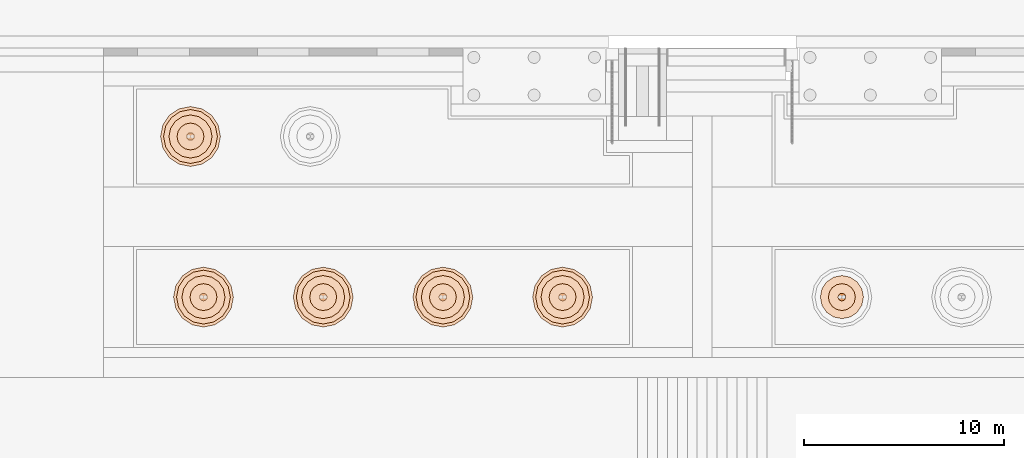
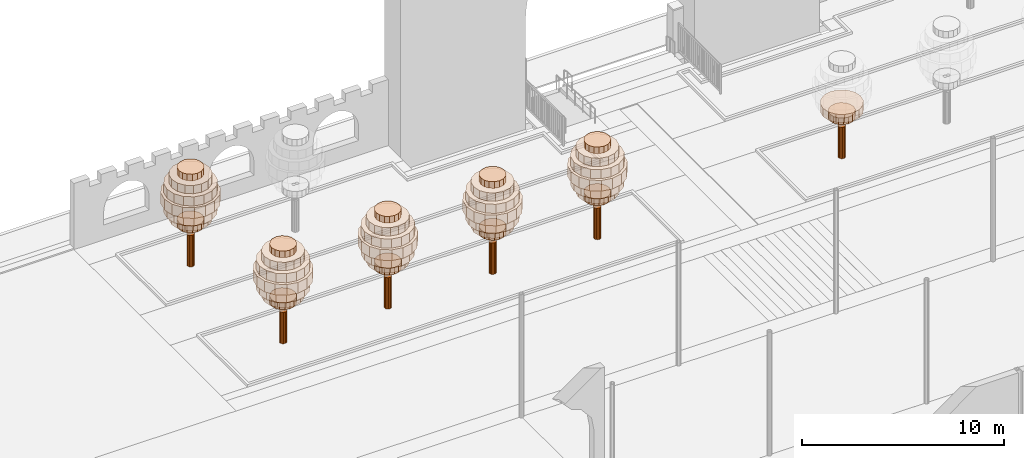
# One storey, part 246 of 250: 43 geographic elements.
"""IFC4 building model written with IfcOpenShell, lengths in metres."""

from ifc_helpers import new_model, si_unit, direction, frame, origin, place, context, subcontext, project, spatial, polyline, outline, extrude, material, type_object, element, save


model = new_model("IFC4")

# Units and contexts
model_context = context("Model", 3, precision=1e-05, world=origin(), true_north=direction((0.0, 1.0)))
body_context = subcontext(model_context, "Body", "Model", "MODEL_VIEW")
ifc_project = project(units=[si_unit("LENGTHUNIT", "METRE"), si_unit("AREAUNIT", "SQUARE_METRE"), si_unit("VOLUMEUNIT", "CUBIC_METRE"), si_unit("PLANEANGLEUNIT", "RADIAN"), si_unit("MASSUNIT", "GRAM", prefix="KILO")], contexts=[model_context])

# Site, building, storey
site_placement = place(None, origin())
site = spatial("IfcSite", under=ifc_project, at=site_placement, CompositionType="ELEMENT")
building_placement = place(site_placement, origin())
building = spatial("IfcBuilding", under=site, at=building_placement, Name="Baradari Gate Terminus", CompositionType="ELEMENT")
storey_placement = place(building_placement, origin())
storey = spatial("IfcBuildingStorey", under=building, at=storey_placement, Name="L00", CompositionType="ELEMENT", Elevation=0.0)

# Geographic elements
ifc_material_1 = material(Name="Planted foliage, green")
geographic_element_type_1 = type_object("IfcGeographicElementType", Name="Garden tree crown, belly layer TR-9 2700x550", PredefinedType="USERDEFINED", material=ifc_material_1)
for number, where, name in (
    (1, (0.0, 0.0, 3.300048828125), "Garden tree 1 crown 3"),
    (2, (0.0, 0.0, 4.5), "Garden tree 1 crown 5"),
):
    element("IfcGeographicElement", number, at=place(storey_placement, frame(where)), inside=storey, type_object=geographic_element_type_1, Name=name, ObjectType="TREE", PredefinedType="USERDEFINED", context=body_context, shape_type="SweptSolid", body=[
        extrude(outline(polyline([(129.35009765625, 137.52490234375), (129.247314453125, 138.04150390625), (128.95458984375, 138.4794921875), (128.5166015625, 138.772216796875), (128.0, 138.875), (127.4833984375, 138.772216796875), (127.04541015625, 138.4794921875), (126.752685546875, 138.04150390625), (126.64990234375, 137.52490234375), (126.752685546875, 137.00830078125), (127.04541015625, 136.5703125), (127.4833984375, 136.27783203125), (128.0, 136.175048828125), (128.5166015625, 136.27783203125), (128.95458984375, 136.5703125), (129.247314453125, 137.00830078125), (129.35009765625, 137.52490234375)])), origin(), (0.0, 0.0, 1.0), 0.550048828125),
    ])
for number, where, name in (
    (3, (0.0, 0.0, 3.300048828125), "Garden tree 2 crown 3"),
    (4, (0.0, 0.0, 4.5), "Garden tree 2 crown 5"),
):
    element("IfcGeographicElement", number, at=place(storey_placement, frame(where)), inside=storey, type_object=geographic_element_type_1, Name=name, ObjectType="TREE", PredefinedType="USERDEFINED", context=body_context, shape_type="SweptSolid", body=[
        extrude(outline(polyline([(135.35009765625, 137.52490234375), (135.247314453125, 138.04150390625), (134.95458984375, 138.4794921875), (134.5166015625, 138.772216796875), (134.0, 138.875), (133.4833984375, 138.772216796875), (133.04541015625, 138.4794921875), (132.752685546875, 138.04150390625), (132.64990234375, 137.52490234375), (132.752685546875, 137.00830078125), (133.04541015625, 136.5703125), (133.4833984375, 136.27783203125), (134.0, 136.175048828125), (134.5166015625, 136.27783203125), (134.95458984375, 136.5703125), (135.247314453125, 137.00830078125), (135.35009765625, 137.52490234375)])), origin(), (0.0, 0.0, 1.0), 0.550048828125),
    ])
for number, where, name in (
    (5, (0.0, 0.0, 3.300048828125), "Garden tree 3 crown 3"),
    (6, (0.0, 0.0, 4.5), "Garden tree 3 crown 5"),
):
    element("IfcGeographicElement", number, at=place(storey_placement, frame(where)), inside=storey, type_object=geographic_element_type_1, Name=name, ObjectType="TREE", PredefinedType="USERDEFINED", context=body_context, shape_type="SweptSolid", body=[
        extrude(outline(polyline([(141.35009765625, 137.52490234375), (141.247314453125, 138.04150390625), (140.95458984375, 138.4794921875), (140.5166015625, 138.772216796875), (140.0, 138.875), (139.4833984375, 138.772216796875), (139.04541015625, 138.4794921875), (138.752685546875, 138.04150390625), (138.64990234375, 137.52490234375), (138.752685546875, 137.00830078125), (139.04541015625, 136.5703125), (139.4833984375, 136.27783203125), (140.0, 136.175048828125), (140.5166015625, 136.27783203125), (140.95458984375, 136.5703125), (141.247314453125, 137.00830078125), (141.35009765625, 137.52490234375)])), origin(), (0.0, 0.0, 1.0), 0.550048828125),
    ])
for number, where, name in (
    (7, (0.0, 0.0, 3.300048828125), "Garden tree 4 crown 3"),
    (8, (0.0, 0.0, 4.5), "Garden tree 4 crown 5"),
):
    element("IfcGeographicElement", number, at=place(storey_placement, frame(where)), inside=storey, type_object=geographic_element_type_1, Name=name, ObjectType="TREE", PredefinedType="USERDEFINED", context=body_context, shape_type="SweptSolid", body=[
        extrude(outline(polyline([(147.35009765625, 137.52490234375), (147.247314453125, 138.04150390625), (146.95458984375, 138.4794921875), (146.5166015625, 138.772216796875), (146.0, 138.875), (145.4833984375, 138.772216796875), (145.04541015625, 138.4794921875), (144.752685546875, 138.04150390625), (144.64990234375, 137.52490234375), (144.752685546875, 137.00830078125), (145.04541015625, 136.5703125), (145.4833984375, 136.27783203125), (146.0, 136.175048828125), (146.5166015625, 136.27783203125), (146.95458984375, 136.5703125), (147.247314453125, 137.00830078125), (147.35009765625, 137.52490234375)])), origin(), (0.0, 0.0, 1.0), 0.550048828125),
    ])
for number, where, name in (
    (9, (0.0, 0.0, 3.300048828125), "Garden tree 5 crown 3"),
    (10, (0.0, 0.0, 4.5), "Garden tree 5 crown 5"),
):
    element("IfcGeographicElement", number, at=place(storey_placement, frame(where)), inside=storey, type_object=geographic_element_type_1, Name=name, ObjectType="TREE", PredefinedType="USERDEFINED", context=body_context, shape_type="SweptSolid", body=[
        extrude(outline(polyline([(128.699951171875, 145.574951171875), (128.59716796875, 146.091552734375), (128.3046875, 146.529541015625), (127.86669921875, 146.822265625), (127.35009765625, 146.925048828125), (126.83349609375, 146.822265625), (126.3955078125, 146.529541015625), (126.102783203125, 146.091552734375), (126.0, 145.574951171875), (126.102783203125, 145.058349609375), (126.3955078125, 144.620361328125), (126.83349609375, 144.327880859375), (127.35009765625, 144.22509765625), (127.86669921875, 144.327880859375), (128.3046875, 144.620361328125), (128.59716796875, 145.058349609375), (128.699951171875, 145.574951171875)])), origin(), (0.0, 0.0, 1.0), 0.550048828125),
    ])
ifc_material_2 = material(Name="Planted foliage, green")
geographic_element_type_2 = type_object("IfcGeographicElementType", Name="Garden tree crown, core layer TR-10 3000x650", PredefinedType="USERDEFINED", material=ifc_material_2)
geographic_element_1_placement = place(storey_placement, frame((0.0, 0.0, 3.85009765625)))
element("IfcGeographicElement", 11, at=geographic_element_1_placement, inside=storey, type_object=geographic_element_type_2, Name="Garden tree 1 crown 4", ObjectType="TREE", PredefinedType="USERDEFINED", context=body_context, shape_type="SweptSolid", body=[
    extrude(outline(polyline([(129.5, 137.52490234375), (129.3857421875, 138.09912109375), (129.060546875, 138.585693359375), (128.573974609375, 138.910888671875), (128.0, 139.02490234375), (127.426025390625, 138.910888671875), (126.939453125, 138.585693359375), (126.6142578125, 138.09912109375), (126.5, 137.52490234375), (126.6142578125, 136.950927734375), (126.939453125, 136.46435546875), (127.426025390625, 136.13916015625), (128.0, 136.02490234375), (128.573974609375, 136.13916015625), (129.060546875, 136.46435546875), (129.3857421875, 136.950927734375), (129.5, 137.52490234375)])), origin(), (0.0, 0.0, 1.0), 0.64990234375),
])
geographic_element_2_placement = place(storey_placement, frame((0.0, 0.0, 3.85009765625)))
element("IfcGeographicElement", 12, at=geographic_element_2_placement, inside=storey, type_object=geographic_element_type_2, Name="Garden tree 2 crown 4", ObjectType="TREE", PredefinedType="USERDEFINED", context=body_context, shape_type="SweptSolid", body=[
    extrude(outline(polyline([(135.5, 137.52490234375), (135.3857421875, 138.09912109375), (135.060546875, 138.585693359375), (134.573974609375, 138.910888671875), (134.0, 139.02490234375), (133.426025390625, 138.910888671875), (132.939453125, 138.585693359375), (132.6142578125, 138.09912109375), (132.5, 137.52490234375), (132.6142578125, 136.950927734375), (132.939453125, 136.46435546875), (133.426025390625, 136.13916015625), (134.0, 136.02490234375), (134.573974609375, 136.13916015625), (135.060546875, 136.46435546875), (135.3857421875, 136.950927734375), (135.5, 137.52490234375)])), origin(), (0.0, 0.0, 1.0), 0.64990234375),
])
geographic_element_3_placement = place(storey_placement, frame((0.0, 0.0, 3.85009765625)))
element("IfcGeographicElement", 13, at=geographic_element_3_placement, inside=storey, type_object=geographic_element_type_2, Name="Garden tree 3 crown 4", ObjectType="TREE", PredefinedType="USERDEFINED", context=body_context, shape_type="SweptSolid", body=[
    extrude(outline(polyline([(141.5, 137.52490234375), (141.3857421875, 138.09912109375), (141.060546875, 138.585693359375), (140.573974609375, 138.910888671875), (140.0, 139.02490234375), (139.426025390625, 138.910888671875), (138.939453125, 138.585693359375), (138.6142578125, 138.09912109375), (138.5, 137.52490234375), (138.6142578125, 136.950927734375), (138.939453125, 136.46435546875), (139.426025390625, 136.13916015625), (140.0, 136.02490234375), (140.573974609375, 136.13916015625), (141.060546875, 136.46435546875), (141.3857421875, 136.950927734375), (141.5, 137.52490234375)])), origin(), (0.0, 0.0, 1.0), 0.64990234375),
])
geographic_element_4_placement = place(storey_placement, frame((0.0, 0.0, 3.85009765625)))
element("IfcGeographicElement", 14, at=geographic_element_4_placement, inside=storey, type_object=geographic_element_type_2, Name="Garden tree 4 crown 4", ObjectType="TREE", PredefinedType="USERDEFINED", context=body_context, shape_type="SweptSolid", body=[
    extrude(outline(polyline([(147.5, 137.52490234375), (147.3857421875, 138.09912109375), (147.060546875, 138.585693359375), (146.573974609375, 138.910888671875), (146.0, 139.02490234375), (145.426025390625, 138.910888671875), (144.939453125, 138.585693359375), (144.6142578125, 138.09912109375), (144.5, 137.52490234375), (144.6142578125, 136.950927734375), (144.939453125, 136.46435546875), (145.426025390625, 136.13916015625), (146.0, 136.02490234375), (146.573974609375, 136.13916015625), (147.060546875, 136.46435546875), (147.3857421875, 136.950927734375), (147.5, 137.52490234375)])), origin(), (0.0, 0.0, 1.0), 0.64990234375),
])
geographic_element_5_placement = place(storey_placement, frame((0.0, 0.0, 3.85009765625)))
element("IfcGeographicElement", 15, at=geographic_element_5_placement, inside=storey, type_object=geographic_element_type_2, Name="Garden tree 5 crown 4", ObjectType="TREE", PredefinedType="USERDEFINED", context=body_context, shape_type="SweptSolid", body=[
    extrude(outline(polyline([(128.85009765625, 145.574951171875), (128.73583984375, 146.14892578125), (128.41064453125, 146.6357421875), (127.924072265625, 146.9609375), (127.35009765625, 147.074951171875), (126.77587890625, 146.9609375), (126.289306640625, 146.6357421875), (125.964111328125, 146.14892578125), (125.85009765625, 145.574951171875), (125.964111328125, 145.0009765625), (126.289306640625, 144.514404296875), (126.77587890625, 144.189208984375), (127.35009765625, 144.074951171875), (127.924072265625, 144.189208984375), (128.41064453125, 144.514404296875), (128.73583984375, 145.0009765625), (128.85009765625, 145.574951171875)])), origin(), (0.0, 0.0, 1.0), 0.64990234375),
])
ifc_material_3 = material(Name="Planted foliage, green")
geographic_element_type_3 = type_object("IfcGeographicElementType", Name="Garden tree crown, rim layer TR-7 1350x400", PredefinedType="USERDEFINED", material=ifc_material_3)
geographic_element_6_placement = place(storey_placement, frame((0.0, 0.0, 2.39990234375)))
element("IfcGeographicElement", 16, at=geographic_element_6_placement, inside=storey, type_object=geographic_element_type_3, Name="Garden tree 1 crown 1", ObjectType="TREE", PredefinedType="USERDEFINED", context=body_context, shape_type="SweptSolid", body=[
    extrude(outline(polyline([(128.675048828125, 137.52490234375), (128.62353515625, 137.783203125), (128.477294921875, 138.002197265625), (128.25830078125, 138.148681640625), (128.0, 138.199951171875), (127.74169921875, 138.148681640625), (127.522705078125, 138.002197265625), (127.37646484375, 137.783203125), (127.324951171875, 137.52490234375), (127.37646484375, 137.2666015625), (127.522705078125, 137.047607421875), (127.74169921875, 136.9013671875), (128.0, 136.85009765625), (128.25830078125, 136.9013671875), (128.477294921875, 137.047607421875), (128.62353515625, 137.2666015625), (128.675048828125, 137.52490234375)])), origin(), (0.0, 0.0, 1.0), 0.400146484375),
])
geographic_element_7_placement = place(storey_placement, frame((0.0, 0.0, 5.550048828125)))
element("IfcGeographicElement", 17, at=geographic_element_7_placement, inside=storey, type_object=geographic_element_type_3, Name="Garden tree 1 crown 7", ObjectType="TREE", PredefinedType="USERDEFINED", context=body_context, shape_type="SweptSolid", body=[
    extrude(outline(polyline([(128.675048828125, 137.52490234375), (128.62353515625, 137.783203125), (128.477294921875, 138.002197265625), (128.25830078125, 138.148681640625), (128.0, 138.199951171875), (127.74169921875, 138.148681640625), (127.522705078125, 138.002197265625), (127.37646484375, 137.783203125), (127.324951171875, 137.52490234375), (127.37646484375, 137.2666015625), (127.522705078125, 137.047607421875), (127.74169921875, 136.9013671875), (128.0, 136.85009765625), (128.25830078125, 136.9013671875), (128.477294921875, 137.047607421875), (128.62353515625, 137.2666015625), (128.675048828125, 137.52490234375)])), origin(), (0.0, 0.0, 1.0), 0.39990234375),
])
geographic_element_8_placement = place(storey_placement, frame((0.0, 0.0, 2.39990234375)))
element("IfcGeographicElement", 18, at=geographic_element_8_placement, inside=storey, type_object=geographic_element_type_3, Name="Garden tree 2 crown 1", ObjectType="TREE", PredefinedType="USERDEFINED", context=body_context, shape_type="SweptSolid", body=[
    extrude(outline(polyline([(134.675048828125, 137.52490234375), (134.62353515625, 137.783203125), (134.477294921875, 138.002197265625), (134.25830078125, 138.148681640625), (134.0, 138.199951171875), (133.74169921875, 138.148681640625), (133.522705078125, 138.002197265625), (133.37646484375, 137.783203125), (133.324951171875, 137.52490234375), (133.37646484375, 137.2666015625), (133.522705078125, 137.047607421875), (133.74169921875, 136.9013671875), (134.0, 136.85009765625), (134.25830078125, 136.9013671875), (134.477294921875, 137.047607421875), (134.62353515625, 137.2666015625), (134.675048828125, 137.52490234375)])), origin(), (0.0, 0.0, 1.0), 0.400146484375),
])
geographic_element_9_placement = place(storey_placement, frame((0.0, 0.0, 5.550048828125)))
element("IfcGeographicElement", 19, at=geographic_element_9_placement, inside=storey, type_object=geographic_element_type_3, Name="Garden tree 2 crown 7", ObjectType="TREE", PredefinedType="USERDEFINED", context=body_context, shape_type="SweptSolid", body=[
    extrude(outline(polyline([(134.675048828125, 137.52490234375), (134.62353515625, 137.783203125), (134.477294921875, 138.002197265625), (134.25830078125, 138.148681640625), (134.0, 138.199951171875), (133.74169921875, 138.148681640625), (133.522705078125, 138.002197265625), (133.37646484375, 137.783203125), (133.324951171875, 137.52490234375), (133.37646484375, 137.2666015625), (133.522705078125, 137.047607421875), (133.74169921875, 136.9013671875), (134.0, 136.85009765625), (134.25830078125, 136.9013671875), (134.477294921875, 137.047607421875), (134.62353515625, 137.2666015625), (134.675048828125, 137.52490234375)])), origin(), (0.0, 0.0, 1.0), 0.39990234375),
])
geographic_element_10_placement = place(storey_placement, frame((0.0, 0.0, 2.39990234375)))
element("IfcGeographicElement", 20, at=geographic_element_10_placement, inside=storey, type_object=geographic_element_type_3, Name="Garden tree 3 crown 1", ObjectType="TREE", PredefinedType="USERDEFINED", context=body_context, shape_type="SweptSolid", body=[
    extrude(outline(polyline([(140.675048828125, 137.52490234375), (140.62353515625, 137.783203125), (140.477294921875, 138.002197265625), (140.25830078125, 138.148681640625), (140.0, 138.199951171875), (139.74169921875, 138.148681640625), (139.522705078125, 138.002197265625), (139.37646484375, 137.783203125), (139.324951171875, 137.52490234375), (139.37646484375, 137.2666015625), (139.522705078125, 137.047607421875), (139.74169921875, 136.9013671875), (140.0, 136.85009765625), (140.25830078125, 136.9013671875), (140.477294921875, 137.047607421875), (140.62353515625, 137.2666015625), (140.675048828125, 137.52490234375)])), origin(), (0.0, 0.0, 1.0), 0.400146484375),
])
geographic_element_11_placement = place(storey_placement, frame((0.0, 0.0, 5.550048828125)))
element("IfcGeographicElement", 21, at=geographic_element_11_placement, inside=storey, type_object=geographic_element_type_3, Name="Garden tree 3 crown 7", ObjectType="TREE", PredefinedType="USERDEFINED", context=body_context, shape_type="SweptSolid", body=[
    extrude(outline(polyline([(140.675048828125, 137.52490234375), (140.62353515625, 137.783203125), (140.477294921875, 138.002197265625), (140.25830078125, 138.148681640625), (140.0, 138.199951171875), (139.74169921875, 138.148681640625), (139.522705078125, 138.002197265625), (139.37646484375, 137.783203125), (139.324951171875, 137.52490234375), (139.37646484375, 137.2666015625), (139.522705078125, 137.047607421875), (139.74169921875, 136.9013671875), (140.0, 136.85009765625), (140.25830078125, 136.9013671875), (140.477294921875, 137.047607421875), (140.62353515625, 137.2666015625), (140.675048828125, 137.52490234375)])), origin(), (0.0, 0.0, 1.0), 0.39990234375),
])
geographic_element_12_placement = place(storey_placement, frame((0.0, 0.0, 2.39990234375)))
element("IfcGeographicElement", 22, at=geographic_element_12_placement, inside=storey, type_object=geographic_element_type_3, Name="Garden tree 4 crown 1", ObjectType="TREE", PredefinedType="USERDEFINED", context=body_context, shape_type="SweptSolid", body=[
    extrude(outline(polyline([(146.675048828125, 137.52490234375), (146.62353515625, 137.783203125), (146.477294921875, 138.002197265625), (146.25830078125, 138.148681640625), (146.0, 138.199951171875), (145.74169921875, 138.148681640625), (145.522705078125, 138.002197265625), (145.37646484375, 137.783203125), (145.324951171875, 137.52490234375), (145.37646484375, 137.2666015625), (145.522705078125, 137.047607421875), (145.74169921875, 136.9013671875), (146.0, 136.85009765625), (146.25830078125, 136.9013671875), (146.477294921875, 137.047607421875), (146.62353515625, 137.2666015625), (146.675048828125, 137.52490234375)])), origin(), (0.0, 0.0, 1.0), 0.400146484375),
])
geographic_element_13_placement = place(storey_placement, frame((0.0, 0.0, 5.550048828125)))
element("IfcGeographicElement", 23, at=geographic_element_13_placement, inside=storey, type_object=geographic_element_type_3, Name="Garden tree 4 crown 7", ObjectType="TREE", PredefinedType="USERDEFINED", context=body_context, shape_type="SweptSolid", body=[
    extrude(outline(polyline([(146.675048828125, 137.52490234375), (146.62353515625, 137.783203125), (146.477294921875, 138.002197265625), (146.25830078125, 138.148681640625), (146.0, 138.199951171875), (145.74169921875, 138.148681640625), (145.522705078125, 138.002197265625), (145.37646484375, 137.783203125), (145.324951171875, 137.52490234375), (145.37646484375, 137.2666015625), (145.522705078125, 137.047607421875), (145.74169921875, 136.9013671875), (146.0, 136.85009765625), (146.25830078125, 136.9013671875), (146.477294921875, 137.047607421875), (146.62353515625, 137.2666015625), (146.675048828125, 137.52490234375)])), origin(), (0.0, 0.0, 1.0), 0.39990234375),
])
geographic_element_14_placement = place(storey_placement, frame((0.0, 0.0, 2.39990234375)))
element("IfcGeographicElement", 24, at=geographic_element_14_placement, inside=storey, type_object=geographic_element_type_3, Name="Garden tree 5 crown 1", ObjectType="TREE", PredefinedType="USERDEFINED", context=body_context, shape_type="SweptSolid", body=[
    extrude(outline(polyline([(128.02490234375, 145.574951171875), (127.9736328125, 145.833251953125), (127.827392578125, 146.05224609375), (127.6083984375, 146.19873046875), (127.35009765625, 146.25), (127.091796875, 146.19873046875), (126.872802734375, 146.05224609375), (126.726318359375, 145.833251953125), (126.675048828125, 145.574951171875), (126.726318359375, 145.316650390625), (126.872802734375, 145.09765625), (127.091796875, 144.951416015625), (127.35009765625, 144.89990234375), (127.6083984375, 144.951416015625), (127.827392578125, 145.09765625), (127.9736328125, 145.316650390625), (128.02490234375, 145.574951171875)])), origin(), (0.0, 0.0, 1.0), 0.400146484375),
])
geographic_element_15_placement = place(storey_placement, frame((0.0, 0.0, 5.550048828125)))
element("IfcGeographicElement", 25, at=geographic_element_15_placement, inside=storey, type_object=geographic_element_type_3, Name="Garden tree 5 crown 7", ObjectType="TREE", PredefinedType="USERDEFINED", context=body_context, shape_type="SweptSolid", body=[
    extrude(outline(polyline([(128.02490234375, 145.574951171875), (127.9736328125, 145.833251953125), (127.827392578125, 146.05224609375), (127.6083984375, 146.19873046875), (127.35009765625, 146.25), (127.091796875, 146.19873046875), (126.872802734375, 146.05224609375), (126.726318359375, 145.833251953125), (126.675048828125, 145.574951171875), (126.726318359375, 145.316650390625), (126.872802734375, 145.09765625), (127.091796875, 144.951416015625), (127.35009765625, 144.89990234375), (127.6083984375, 144.951416015625), (127.827392578125, 145.09765625), (127.9736328125, 145.316650390625), (128.02490234375, 145.574951171875)])), origin(), (0.0, 0.0, 1.0), 0.39990234375),
])
geographic_element_16_placement = place(storey_placement, frame((0.0, 0.0, 2.39990234375)))
element("IfcGeographicElement", 26, at=geographic_element_16_placement, inside=storey, type_object=geographic_element_type_3, Name="Garden tree 7 crown 1", ObjectType="TREE", PredefinedType="USERDEFINED", context=body_context, shape_type="SweptSolid", body=[
    extrude(outline(polyline([(160.675048828125, 137.52490234375), (160.62353515625, 137.783203125), (160.477294921875, 138.002197265625), (160.25830078125, 138.148681640625), (160.0, 138.199951171875), (159.74169921875, 138.148681640625), (159.522705078125, 138.002197265625), (159.37646484375, 137.783203125), (159.324951171875, 137.52490234375), (159.37646484375, 137.2666015625), (159.522705078125, 137.047607421875), (159.74169921875, 136.9013671875), (160.0, 136.85009765625), (160.25830078125, 136.9013671875), (160.477294921875, 137.047607421875), (160.62353515625, 137.2666015625), (160.675048828125, 137.52490234375)])), origin(), (0.0, 0.0, 1.0), 0.400146484375),
])
ifc_material_4 = material(Name="Planted foliage, green")
geographic_element_type_4 = type_object("IfcGeographicElementType", Name="Garden tree crown, shoulder layer TR-8 2160x500", PredefinedType="USERDEFINED", material=ifc_material_4)
for number, where, name in (
    (27, (0.0, 0.0, 2.800048828125), "Garden tree 1 crown 2"),
    (28, (0.0, 0.0, 5.050048828125), "Garden tree 1 crown 6"),
):
    element("IfcGeographicElement", number, at=place(storey_placement, frame(where)), inside=storey, type_object=geographic_element_type_4, Name=name, ObjectType="TREE", PredefinedType="USERDEFINED", context=body_context, shape_type="SweptSolid", body=[
        extrude(outline(polyline([(129.080078125, 137.52490234375), (128.997802734375, 137.938232421875), (128.763671875, 138.28857421875), (128.413330078125, 138.522705078125), (128.0, 138.60498046875), (127.586669921875, 138.522705078125), (127.236328125, 138.28857421875), (127.002197265625, 137.938232421875), (126.919921875, 137.52490234375), (127.002197265625, 137.11181640625), (127.236328125, 136.76123046875), (127.586669921875, 136.527099609375), (128.0, 136.445068359375), (128.413330078125, 136.527099609375), (128.763671875, 136.76123046875), (128.997802734375, 137.11181640625), (129.080078125, 137.52490234375)])), origin(), (0.0, 0.0, 1.0), 0.5),
    ])
for number, where, name in (
    (29, (0.0, 0.0, 2.800048828125), "Garden tree 2 crown 2"),
    (30, (0.0, 0.0, 5.050048828125), "Garden tree 2 crown 6"),
):
    element("IfcGeographicElement", number, at=place(storey_placement, frame(where)), inside=storey, type_object=geographic_element_type_4, Name=name, ObjectType="TREE", PredefinedType="USERDEFINED", context=body_context, shape_type="SweptSolid", body=[
        extrude(outline(polyline([(135.080078125, 137.52490234375), (134.997802734375, 137.938232421875), (134.763671875, 138.28857421875), (134.413330078125, 138.522705078125), (134.0, 138.60498046875), (133.586669921875, 138.522705078125), (133.236328125, 138.28857421875), (133.002197265625, 137.938232421875), (132.919921875, 137.52490234375), (133.002197265625, 137.11181640625), (133.236328125, 136.76123046875), (133.586669921875, 136.527099609375), (134.0, 136.445068359375), (134.413330078125, 136.527099609375), (134.763671875, 136.76123046875), (134.997802734375, 137.11181640625), (135.080078125, 137.52490234375)])), origin(), (0.0, 0.0, 1.0), 0.5),
    ])
for number, where, name in (
    (31, (0.0, 0.0, 2.800048828125), "Garden tree 3 crown 2"),
    (32, (0.0, 0.0, 5.050048828125), "Garden tree 3 crown 6"),
):
    element("IfcGeographicElement", number, at=place(storey_placement, frame(where)), inside=storey, type_object=geographic_element_type_4, Name=name, ObjectType="TREE", PredefinedType="USERDEFINED", context=body_context, shape_type="SweptSolid", body=[
        extrude(outline(polyline([(141.080078125, 137.52490234375), (140.997802734375, 137.938232421875), (140.763671875, 138.28857421875), (140.413330078125, 138.522705078125), (140.0, 138.60498046875), (139.586669921875, 138.522705078125), (139.236328125, 138.28857421875), (139.002197265625, 137.938232421875), (138.919921875, 137.52490234375), (139.002197265625, 137.11181640625), (139.236328125, 136.76123046875), (139.586669921875, 136.527099609375), (140.0, 136.445068359375), (140.413330078125, 136.527099609375), (140.763671875, 136.76123046875), (140.997802734375, 137.11181640625), (141.080078125, 137.52490234375)])), origin(), (0.0, 0.0, 1.0), 0.5),
    ])
for number, where, name in (
    (33, (0.0, 0.0, 2.800048828125), "Garden tree 4 crown 2"),
    (34, (0.0, 0.0, 5.050048828125), "Garden tree 4 crown 6"),
):
    element("IfcGeographicElement", number, at=place(storey_placement, frame(where)), inside=storey, type_object=geographic_element_type_4, Name=name, ObjectType="TREE", PredefinedType="USERDEFINED", context=body_context, shape_type="SweptSolid", body=[
        extrude(outline(polyline([(147.080078125, 137.52490234375), (146.997802734375, 137.938232421875), (146.763671875, 138.28857421875), (146.413330078125, 138.522705078125), (146.0, 138.60498046875), (145.586669921875, 138.522705078125), (145.236328125, 138.28857421875), (145.002197265625, 137.938232421875), (144.919921875, 137.52490234375), (145.002197265625, 137.11181640625), (145.236328125, 136.76123046875), (145.586669921875, 136.527099609375), (146.0, 136.445068359375), (146.413330078125, 136.527099609375), (146.763671875, 136.76123046875), (146.997802734375, 137.11181640625), (147.080078125, 137.52490234375)])), origin(), (0.0, 0.0, 1.0), 0.5),
    ])
for number, where, name in (
    (35, (0.0, 0.0, 2.800048828125), "Garden tree 5 crown 2"),
    (36, (0.0, 0.0, 5.050048828125), "Garden tree 5 crown 6"),
):
    element("IfcGeographicElement", number, at=place(storey_placement, frame(where)), inside=storey, type_object=geographic_element_type_4, Name=name, ObjectType="TREE", PredefinedType="USERDEFINED", context=body_context, shape_type="SweptSolid", body=[
        extrude(outline(polyline([(128.429931640625, 145.574951171875), (128.347900390625, 145.98828125), (128.11376953125, 146.338623046875), (127.76318359375, 146.57275390625), (127.35009765625, 146.655029296875), (126.936767578125, 146.57275390625), (126.58642578125, 146.338623046875), (126.352294921875, 145.98828125), (126.27001953125, 145.574951171875), (126.352294921875, 145.16162109375), (126.58642578125, 144.811279296875), (126.936767578125, 144.5771484375), (127.35009765625, 144.4951171875), (127.76318359375, 144.5771484375), (128.11376953125, 144.811279296875), (128.347900390625, 145.16162109375), (128.429931640625, 145.574951171875)])), origin(), (0.0, 0.0, 1.0), 0.5),
    ])
geographic_element_17_placement = place(storey_placement, frame((0.0, 0.0, 2.800048828125)))
element("IfcGeographicElement", 37, at=geographic_element_17_placement, inside=storey, type_object=geographic_element_type_4, Name="Garden tree 7 crown 2", ObjectType="TREE", PredefinedType="USERDEFINED", context=body_context, shape_type="SweptSolid", body=[
    extrude(outline(polyline([(161.080078125, 137.52490234375), (160.997802734375, 137.938232421875), (160.763671875, 138.28857421875), (160.413330078125, 138.522705078125), (160.0, 138.60498046875), (159.586669921875, 138.522705078125), (159.236328125, 138.28857421875), (159.002197265625, 137.938232421875), (158.919921875, 137.52490234375), (159.002197265625, 137.11181640625), (159.236328125, 136.76123046875), (159.586669921875, 136.527099609375), (160.0, 136.445068359375), (160.413330078125, 136.527099609375), (160.763671875, 136.76123046875), (160.997802734375, 137.11181640625), (161.080078125, 137.52490234375)])), origin(), (0.0, 0.0, 1.0), 0.5),
])
ifc_material_5 = material(Name="Timber, hardwood", Category="wood")
geographic_element_type_5 = type_object("IfcGeographicElementType", Name="Garden tree trunk TR-6 380x1900", PredefinedType="USERDEFINED", material=ifc_material_5)
geographic_element_18_placement = place(storey_placement, origin())
element("IfcGeographicElement", 38, at=geographic_element_18_placement, inside=storey, type_object=geographic_element_type_5, Name="Garden tree 1 trunk", ObjectType="TREE", PredefinedType="USERDEFINED", context=body_context, shape_type="SweptSolid", body=[
    extrude(outline(polyline([(128.18994140625, 137.52490234375), (128.175537109375, 137.59765625), (128.13427734375, 137.659423828125), (128.07275390625, 137.700439453125), (128.0, 137.715087890625), (127.92724609375, 137.700439453125), (127.86572265625, 137.659423828125), (127.824462890625, 137.59765625), (127.81005859375, 137.52490234375), (127.824462890625, 137.452392578125), (127.86572265625, 137.390625), (127.92724609375, 137.349365234375), (128.0, 137.3349609375), (128.07275390625, 137.349365234375), (128.13427734375, 137.390625), (128.175537109375, 137.452392578125), (128.18994140625, 137.52490234375)])), origin(), (0.0, 0.0, 1.0), 1.89990234375),
])
geographic_element_19_placement = place(storey_placement, origin())
element("IfcGeographicElement", 39, at=geographic_element_19_placement, inside=storey, type_object=geographic_element_type_5, Name="Garden tree 2 trunk", ObjectType="TREE", PredefinedType="USERDEFINED", context=body_context, shape_type="SweptSolid", body=[
    extrude(outline(polyline([(134.18994140625, 137.52490234375), (134.175537109375, 137.59765625), (134.13427734375, 137.659423828125), (134.07275390625, 137.700439453125), (134.0, 137.715087890625), (133.92724609375, 137.700439453125), (133.86572265625, 137.659423828125), (133.824462890625, 137.59765625), (133.81005859375, 137.52490234375), (133.824462890625, 137.452392578125), (133.86572265625, 137.390625), (133.92724609375, 137.349365234375), (134.0, 137.3349609375), (134.07275390625, 137.349365234375), (134.13427734375, 137.390625), (134.175537109375, 137.452392578125), (134.18994140625, 137.52490234375)])), origin(), (0.0, 0.0, 1.0), 1.89990234375),
])
geographic_element_20_placement = place(storey_placement, origin())
element("IfcGeographicElement", 40, at=geographic_element_20_placement, inside=storey, type_object=geographic_element_type_5, Name="Garden tree 3 trunk", ObjectType="TREE", PredefinedType="USERDEFINED", context=body_context, shape_type="SweptSolid", body=[
    extrude(outline(polyline([(140.18994140625, 137.52490234375), (140.175537109375, 137.59765625), (140.13427734375, 137.659423828125), (140.07275390625, 137.700439453125), (140.0, 137.715087890625), (139.92724609375, 137.700439453125), (139.86572265625, 137.659423828125), (139.824462890625, 137.59765625), (139.81005859375, 137.52490234375), (139.824462890625, 137.452392578125), (139.86572265625, 137.390625), (139.92724609375, 137.349365234375), (140.0, 137.3349609375), (140.07275390625, 137.349365234375), (140.13427734375, 137.390625), (140.175537109375, 137.452392578125), (140.18994140625, 137.52490234375)])), origin(), (0.0, 0.0, 1.0), 1.89990234375),
])
geographic_element_21_placement = place(storey_placement, origin())
element("IfcGeographicElement", 41, at=geographic_element_21_placement, inside=storey, type_object=geographic_element_type_5, Name="Garden tree 4 trunk", ObjectType="TREE", PredefinedType="USERDEFINED", context=body_context, shape_type="SweptSolid", body=[
    extrude(outline(polyline([(146.18994140625, 137.52490234375), (146.175537109375, 137.59765625), (146.13427734375, 137.659423828125), (146.07275390625, 137.700439453125), (146.0, 137.715087890625), (145.92724609375, 137.700439453125), (145.86572265625, 137.659423828125), (145.824462890625, 137.59765625), (145.81005859375, 137.52490234375), (145.824462890625, 137.452392578125), (145.86572265625, 137.390625), (145.92724609375, 137.349365234375), (146.0, 137.3349609375), (146.07275390625, 137.349365234375), (146.13427734375, 137.390625), (146.175537109375, 137.452392578125), (146.18994140625, 137.52490234375)])), origin(), (0.0, 0.0, 1.0), 1.89990234375),
])
geographic_element_22_placement = place(storey_placement, origin())
element("IfcGeographicElement", 42, at=geographic_element_22_placement, inside=storey, type_object=geographic_element_type_5, Name="Garden tree 5 trunk", ObjectType="TREE", PredefinedType="USERDEFINED", context=body_context, shape_type="SweptSolid", body=[
    extrude(outline(polyline([(127.5400390625, 145.574951171875), (127.525634765625, 145.647705078125), (127.484375, 145.709228515625), (127.422607421875, 145.75048828125), (127.35009765625, 145.764892578125), (127.27734375, 145.75048828125), (127.215576171875, 145.709228515625), (127.174560546875, 145.647705078125), (127.159912109375, 145.574951171875), (127.174560546875, 145.502197265625), (127.215576171875, 145.440673828125), (127.27734375, 145.3994140625), (127.35009765625, 145.385009765625), (127.422607421875, 145.3994140625), (127.484375, 145.440673828125), (127.525634765625, 145.502197265625), (127.5400390625, 145.574951171875)])), origin(), (0.0, 0.0, 1.0), 1.89990234375),
])
geographic_element_23_placement = place(storey_placement, origin())
element("IfcGeographicElement", 43, at=geographic_element_23_placement, inside=storey, type_object=geographic_element_type_5, Name="Garden tree 7 trunk", ObjectType="TREE", PredefinedType="USERDEFINED", context=body_context, shape_type="SweptSolid", body=[
    extrude(outline(polyline([(160.18994140625, 137.52490234375), (160.175537109375, 137.59765625), (160.13427734375, 137.659423828125), (160.07275390625, 137.700439453125), (160.0, 137.715087890625), (159.92724609375, 137.700439453125), (159.86572265625, 137.659423828125), (159.824462890625, 137.59765625), (159.81005859375, 137.52490234375), (159.824462890625, 137.452392578125), (159.86572265625, 137.390625), (159.92724609375, 137.349365234375), (160.0, 137.3349609375), (160.07275390625, 137.349365234375), (160.13427734375, 137.390625), (160.175537109375, 137.452392578125), (160.18994140625, 137.52490234375)])), origin(), (0.0, 0.0, 1.0), 1.89990234375),
])

save(model, "model.ifc")
